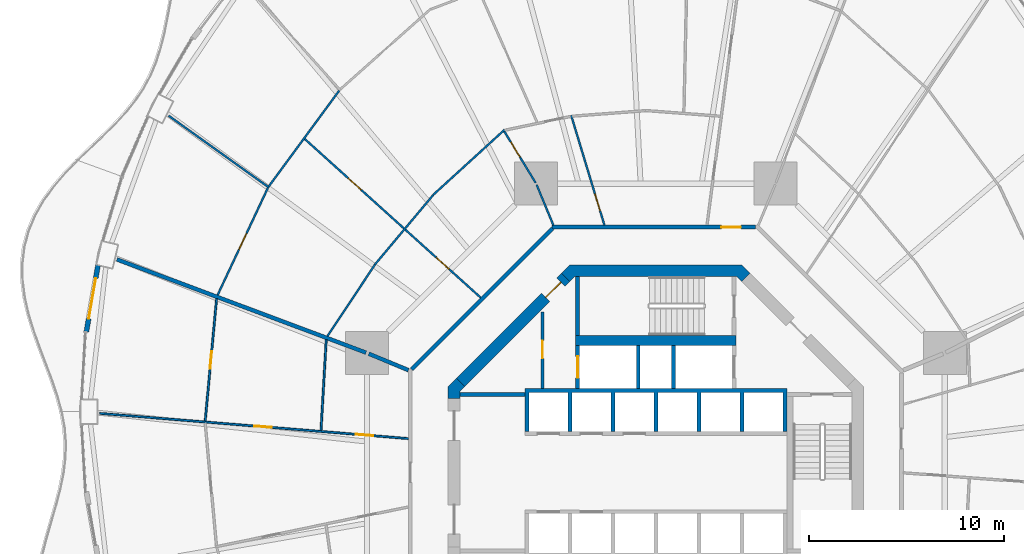
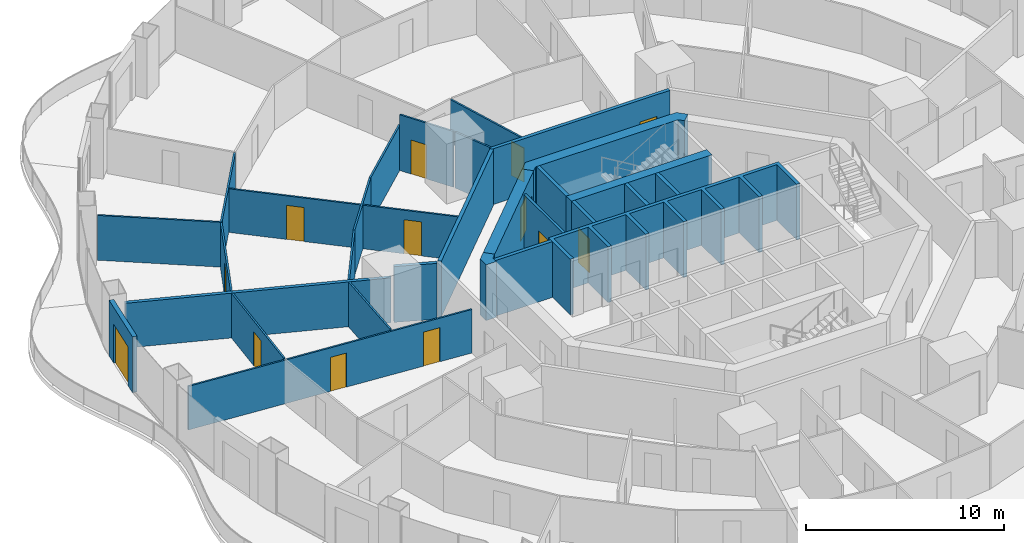
# One storey, part 17 of 22: 29 walls, 13 doors, 13 openings.
"""IFC4 building model written with IfcOpenShell, lengths in metres."""

from ifc_helpers import new_model, si_unit, direction, frame, frame_2d, origin, place, context, subcontext, project, spatial, polyline, rectangle, outline, extrude, material, layer, layer_set, type_object, element, fill, save


model = new_model("IFC4")

# Units and contexts
model_context = context("Model", 3, precision=1e-05, world=origin(), true_north=direction((0.0, 1.0)))
body_context = subcontext(model_context, "Body", "Model", "MODEL_VIEW")
ifc_project = project(units=[si_unit("LENGTHUNIT", "METRE"), si_unit("AREAUNIT", "SQUARE_METRE"), si_unit("VOLUMEUNIT", "CUBIC_METRE"), si_unit("PLANEANGLEUNIT", "RADIAN"), si_unit("MASSUNIT", "GRAM", prefix="KILO")], contexts=[model_context])

# Site, building, storey
site_placement = place(None, origin())
site = spatial("IfcSite", under=ifc_project, at=site_placement, CompositionType="ELEMENT")
building_placement = place(site_placement, origin())
building = spatial("IfcBuilding", under=site, at=building_placement, Name="Nagisa Residences", CompositionType="ELEMENT")
storey_placement = place(building_placement, frame((0.0, 0.0, 80.699951171875)))
storey = spatial("IfcBuildingStorey", under=building, at=storey_placement, Name="L19", CompositionType="ELEMENT", Elevation=80.699951171875)

# Walls
ifc_material_1 = material(Name="Gypsum board on steel studs", Category="steel")
ifc_layer_1 = layer(ifc_material_1, 0.199951171875)
ifc_layer_set_1 = layer_set([ifc_layer_1], Name="Apartment compartment wall EI60 200")
wall_type_1 = type_object("IfcWallType", Name="Apartment compartment wall EI60 200", PredefinedType="PARTITIONING", material=ifc_layer_set_1)
wall_1_placement = place(storey_placement, frame((-12.6572265625, 5.24267578125, 0.0), z_axis=(0.0, 0.0, 1.0), x_axis=(-0.923843626288, 0.382770106157, 0.0)))
element("IfcWall", 1, at=wall_1_placement, inside=storey, type_object=wall_type_1, Name="wall:L19:u02", PredefinedType="PARTITIONING", context=body_context, shape_type="SweptSolid", body=[
    extrude(rectangle(XDim=2.19921875, YDim=0.199951171875, at=frame_2d((1.099609375, 0.0))), origin(), (0.0, 0.0, 1.0), 3.43994140625),
])
wall_2_placement = place(storey_placement, frame((-14.828857421875, 6.140380859375, 0.0), z_axis=(0.0, 0.0, 1.0), x_axis=(-0.936597324342, 0.35040755134, 0.0)))
element("IfcWall", 2, at=wall_2_placement, inside=storey, type_object=wall_type_1, Name="wall:L19:u03", PredefinedType="PARTITIONING", context=body_context, shape_type="SweptSolid", body=[
    extrude(rectangle(XDim=13.605712890625, YDim=0.199951171875, at=frame_2d((6.802734375, 0.0))), origin(), (0.0, 0.0, 1.0), 2.761962890625),
])

# Wall, opening, door
ifc_material_2 = material(Name="Gypsum board on steel studs", Category="steel")
ifc_layer_2 = layer(ifc_material_2, 0.199951171875)
ifc_layer_set_2 = layer_set([ifc_layer_2], Name="Apartment entry wall EI60 200")
wall_type_2 = type_object("IfcWallType", Name="Apartment entry wall EI60 200", PredefinedType="PARTITIONING", material=ifc_layer_set_2)
wall_3_placement = place(storey_placement, frame((5.1044921875, 12.564697265625, 0.0), z_axis=(0.0, 0.0, 1.0), x_axis=(-1.0, 0.0, 0.0)))
wall_3 = element("IfcWall", 3, at=wall_3_placement, inside=storey, type_object=wall_type_2, Name="wall:L19:u10", PredefinedType="PARTITIONING", context=body_context, shape_type="SweptSolid", body=[
    extrude(rectangle(XDim=10.408935546875, YDim=0.199951171875, at=frame_2d((5.20458984375, 0.0))), origin(), (0.0, 0.0, 1.0), 3.43994140625),
])
opening_1_placement = place(wall_3_placement, frame((0.751220703125, 0.0, 0.0)))
opening_1 = element("IfcOpeningElement", 4, at=opening_1_placement, cuts=wall_3, Name="Opening L19-U01", PredefinedType="OPENING", context=body_context, shape_type="SweptSolid", body=[
    extrude(rectangle(XDim=1.0, YDim=2.10009765625, at=frame_2d((0.5, 1.050048828125))), frame((0.0, 0.10986328125, 0.0), z_axis=(0.0, -1.0, 0.0), x_axis=(1.0, 0.0, 0.0)), (0.0, 0.0, 1.0), 0.219970703125),
])
ifc_material_3 = material(Name="Timber fire door set", Category="wood")
door_type_1 = type_object("IfcDoorType", Name="Apartment entry door FD30S 1000x2100", OperationType="NOTDEFINED", PredefinedType="DOOR", material=ifc_material_3)
door_1_placement = place(opening_1_placement, frame((1.0, 0.0, 0.0), x_axis=(-1.0, 0.0, 0.0)))
door_1 = element("IfcDoor", 5, at=door_1_placement, inside=storey, type_object=door_type_1, Name="Entry door, Apartment 19A", OperationType="SINGLE_SWING_RIGHT", OverallHeight=2.10009765625, OverallWidth=1.0, PredefinedType="DOOR", context=body_context, shape_type="SweptSolid", body=[
    extrude(rectangle(XDim=1.0, YDim=2.10009765625, at=frame_2d((0.5, 1.050048828125))), frame((0.0, 0.02490234375, 0.0), z_axis=(0.0, -1.0, 0.0), x_axis=(1.0, 0.0, 0.0)), (0.0, 0.0, 1.0), 0.050048828125),
])
fill(opening_1, door_1)

# Wall
wall_4_placement = place(storey_placement, frame((-5.275146484375, 12.494140625, 0.0), z_axis=(0.0, 0.0, 1.0), x_axis=(-0.707106781187, -0.707106781187, 0.0)))
element("IfcWall", 6, at=wall_4_placement, inside=storey, type_object=wall_type_2, Name="wall:L19:u11", PredefinedType="PARTITIONING", context=body_context, shape_type="SweptSolid", body=[
    extrude(rectangle(XDim=10.209228515625, YDim=0.199951171875, at=frame_2d((5.1044921875, 0.0))), origin(), (0.0, 0.0, 1.0), 3.43994140625),
])

# Wall, opening, door
ifc_material_4 = material(Name="Gypsum board on steel studs", Category="steel")
ifc_layer_3 = layer(ifc_material_4, 0.10009765625)
ifc_layer_set_3 = layer_set([ifc_layer_3], Name="Apartment partition 100")
wall_type_3 = type_object("IfcWallType", Name="Apartment partition 100", PredefinedType="PARTITIONING", material=ifc_layer_set_3)
wall_5_placement = place(storey_placement, frame((-2.63134765625, 12.660400390625, 0.0), z_axis=(0.0, 0.0, 1.0), x_axis=(-0.290145836284, 0.956982441682, 0.0)))
wall_5 = element("IfcWall", 7, at=wall_5_placement, inside=storey, type_object=wall_type_3, Name="wall:L19:u38", PredefinedType="PARTITIONING", context=body_context, shape_type="SweptSolid", body=[
    extrude(rectangle(XDim=5.873291015625, YDim=0.10009765625, at=frame_2d((2.9365234375, 0.0))), origin(), (0.0, 0.0, 1.0), 2.68701171875),
])
opening_2_placement = place(wall_5_placement, frame((0.772216796875, 0.0, 0.0)))
opening_2 = element("IfcOpeningElement", 8, at=opening_2_placement, cuts=wall_5, Name="Opening L19-U04", PredefinedType="OPENING", context=body_context, shape_type="SweptSolid", body=[
    extrude(rectangle(XDim=0.89990234375, YDim=2.10009765625, at=frame_2d((0.449951171875, 1.050048828125))), frame((0.0, 0.06005859375, 0.0), z_axis=(0.0, -1.0, 0.0), x_axis=(1.0, 0.0, 0.0)), (0.0, 0.0, 1.0), 0.1201171875),
])
ifc_material_5 = material(Name="Timber door set", Category="wood")
door_type_2 = type_object("IfcDoorType", Name="Apartment door 900x2100", OperationType="NOTDEFINED", PredefinedType="DOOR", material=ifc_material_5)
door_2_placement = place(opening_2_placement, origin())
door_2 = element("IfcDoor", 9, at=door_2_placement, inside=storey, type_object=door_type_2, Name="Door to laundry, Apartment 19A", OperationType="SINGLE_SWING_RIGHT", OverallHeight=2.10009765625, OverallWidth=0.89990234375, PredefinedType="DOOR", context=body_context, shape_type="SweptSolid", body=[
    extrude(rectangle(XDim=0.89990234375, YDim=2.10009765625, at=frame_2d((0.449951171875, 1.050048828125))), frame((0.0, 0.02490234375, 0.0), z_axis=(0.0, -1.0, 0.0), x_axis=(1.0, 0.0, 0.0)), (0.0, 0.0, 1.0), 0.050048828125),
])
fill(opening_2, door_2)

# Wall
wall_6_placement = place(storey_placement, frame((-5.24267578125, 12.6572265625, 0.0), z_axis=(0.0, 0.0, 1.0), x_axis=(-0.382703272338, 0.923871314276, 0.0)))
element("IfcWall", 10, at=wall_6_placement, inside=storey, type_object=wall_type_3, Name="wall:L19:u42", PredefinedType="PARTITIONING", context=body_context, shape_type="SweptSolid", body=[
    extrude(rectangle(XDim=2.249267578125, YDim=0.10009765625, at=frame_2d((1.12451171875, 0.0))), origin(), (0.0, 0.0, 1.0), 3.43994140625),
])

# Wall, opening, door
wall_7_placement = place(storey_placement, frame((-6.14892578125, 14.82470703125, 0.0), z_axis=(0.0, 0.0, 1.0), x_axis=(-0.520433196839, 0.853902387646, 0.0)))
wall_7 = element("IfcWall", 11, at=wall_7_placement, inside=storey, type_object=wall_type_3, Name="wall:L19:u43", PredefinedType="PARTITIONING", context=body_context, shape_type="SweptSolid", body=[
    extrude(rectangle(XDim=3.089599609375, YDim=0.10009765625, at=frame_2d((1.544921875, 0.0))), origin(), (0.0, 0.0, 1.0), 3.43994140625),
])
opening_3_placement = place(wall_7_placement, frame((1.54150390625, 0.0, 0.0)))
opening_3 = element("IfcOpeningElement", 12, at=opening_3_placement, cuts=wall_7, Name="Opening L19-U05", PredefinedType="OPENING", context=body_context, shape_type="SweptSolid", body=[
    extrude(rectangle(XDim=0.89990234375, YDim=2.10009765625, at=frame_2d((0.449951171875, 1.050048828125))), frame((0.0, 0.06005859375, 0.0), z_axis=(0.0, -1.0, 0.0), x_axis=(1.0, 0.0, 0.0)), (0.0, 0.0, 1.0), 0.1201171875),
])
door_3_placement = place(opening_3_placement, origin())
door_3 = element("IfcDoor", 13, at=door_3_placement, inside=storey, type_object=door_type_2, Name="Door to store, Apartment 19A", OperationType="SINGLE_SWING_LEFT", OverallHeight=2.10009765625, OverallWidth=0.89990234375, PredefinedType="DOOR", context=body_context, shape_type="SweptSolid", body=[
    extrude(rectangle(XDim=0.89990234375, YDim=2.10009765625, at=frame_2d((0.449951171875, 1.050048828125))), frame((0.0, 0.02490234375, 0.0), z_axis=(0.0, -1.0, 0.0), x_axis=(1.0, 0.0, 0.0)), (0.0, 0.0, 1.0), 0.050048828125),
])
fill(opening_3, door_3)

# Walls
wall_8_placement = place(storey_placement, frame((-7.745849609375, 17.539306640625, 0.0), z_axis=(0.0, 0.0, 1.0), x_axis=(-0.738860434967, -0.673858484877, 0.0)))
element("IfcWall", 14, at=wall_8_placement, inside=storey, type_object=wall_type_3, Name="wall:L19:u44", PredefinedType="PARTITIONING", context=body_context, shape_type="SweptSolid", body=[
    extrude(rectangle(XDim=4.946533203125, YDim=0.10009765625, at=frame_2d((2.47314453125, 0.0))), origin(), (0.0, 0.0, 1.0), 2.761962890625),
])
wall_9_placement = place(storey_placement, frame((-11.39599609375, 14.20166015625, 0.0), z_axis=(0.0, 0.0, 1.0), x_axis=(-0.642475660273, -0.766306091557, 0.0)))
element("IfcWall", 15, at=wall_9_placement, inside=storey, type_object=wall_type_3, Name="wall:L19:u46", PredefinedType="PARTITIONING", context=body_context, shape_type="SweptSolid", body=[
    extrude(rectangle(XDim=4.63720703125, YDim=0.10009765625, at=frame_2d((2.318603515625, 0.0))), origin(), (0.0, 0.0, 1.0), 2.761962890625),
])
wall_10_placement = place(storey_placement, frame((-16.197265625, 19.55126953125, 0.0), z_axis=(0.0, 0.0, 1.0), x_axis=(-0.592391983588, -0.80564988536, 0.0)))
element("IfcWall", 16, at=wall_10_placement, inside=storey, type_object=wall_type_3, Name="wall:L19:u48", PredefinedType="PARTITIONING", context=body_context, shape_type="SweptSolid", body=[
    extrude(rectangle(XDim=6.080078125, YDim=0.10009765625, at=frame_2d((3.0400390625, 0.0))), origin(), (0.0, 0.0, 1.0), 2.761962890625),
])

# Wall, openings, doors
wall_11_placement = place(storey_placement, frame((-8.958984375, 8.95166015625, 0.0), z_axis=(0.0, 0.0, 1.0), x_axis=(-0.742679904999, 0.669646592398, 0.0)))
wall_11 = element("IfcWall", 17, at=wall_11_placement, inside=storey, type_object=wall_type_3, Name="wall:L19:u49", PredefinedType="PARTITIONING", context=body_context, shape_type="SweptSolid", body=[
    extrude(rectangle(XDim=12.121337890625, YDim=0.10009765625, at=frame_2d((6.060546875, 0.0))), origin(), (0.0, 0.0, 1.0), 2.68701171875),
])
opening_4_placement = place(wall_11_placement, frame((2.172119140625, 0.0, 0.0)))
opening_4 = element("IfcOpeningElement", 18, at=opening_4_placement, cuts=wall_11, Name="Opening L19-U06", PredefinedType="OPENING", context=body_context, shape_type="SweptSolid", body=[
    extrude(rectangle(XDim=0.89990234375, YDim=2.10009765625, at=frame_2d((0.449951171875, 1.050048828125))), frame((0.0, 0.06005859375, 0.0), z_axis=(0.0, -1.0, 0.0), x_axis=(1.0, 0.0, 0.0)), (0.0, 0.0, 1.0), 0.1201171875),
])
opening_5_placement = place(wall_11_placement, frame((8.232666015625, 0.0, 0.0)))
opening_5 = element("IfcOpeningElement", 19, at=opening_5_placement, cuts=wall_11, Name="Opening L19-U11", PredefinedType="OPENING", context=body_context, shape_type="SweptSolid", body=[
    extrude(rectangle(XDim=0.89990234375, YDim=2.10009765625, at=frame_2d((0.449951171875, 1.050048828125))), frame((0.0, 0.06005859375, 0.0), z_axis=(0.0, -1.0, 0.0), x_axis=(1.0, 0.0, 0.0)), (0.0, 0.0, 1.0), 0.1201171875),
])
door_4_placement = place(opening_4_placement, origin())
door_4 = element("IfcDoor", 20, at=door_4_placement, inside=storey, type_object=door_type_2, Name="Door to laundry, Apartment 19A", OperationType="SINGLE_SWING_RIGHT", OverallHeight=2.10009765625, OverallWidth=0.89990234375, PredefinedType="DOOR", context=body_context, shape_type="SweptSolid", body=[
    extrude(rectangle(XDim=0.89990234375, YDim=2.10009765625, at=frame_2d((0.449951171875, 1.050048828125))), frame((0.0, 0.02490234375, 0.0), z_axis=(0.0, -1.0, 0.0), x_axis=(1.0, 0.0, 0.0)), (0.0, 0.0, 1.0), 0.050048828125),
])
fill(opening_4, door_4)
door_5_placement = place(opening_5_placement, origin())
door_5 = element("IfcDoor", 21, at=door_5_placement, inside=storey, type_object=door_type_2, Name="Door to dining room, Apartment 19A", OperationType="SINGLE_SWING_LEFT", OverallHeight=2.10009765625, OverallWidth=0.89990234375, PredefinedType="DOOR", context=body_context, shape_type="SweptSolid", body=[
    extrude(rectangle(XDim=0.89990234375, YDim=2.10009765625, at=frame_2d((0.449951171875, 1.050048828125))), frame((0.0, 0.02490234375, 0.0), z_axis=(0.0, -1.0, 0.0), x_axis=(1.0, 0.0, 0.0)), (0.0, 0.0, 1.0), 0.050048828125),
])
fill(opening_5, door_5)

# Walls
wall_12_placement = place(storey_placement, frame((-14.370849609375, 10.64501953125, 0.0), z_axis=(0.0, 0.0, 1.0), x_axis=(-0.553341009285, -0.832954817168, 0.0)))
element("IfcWall", 22, at=wall_12_placement, inside=storey, type_object=wall_type_3, Name="wall:L19:u50", PredefinedType="PARTITIONING", context=body_context, shape_type="SweptSolid", body=[
    extrude(rectangle(XDim=4.396240234375, YDim=0.10009765625, at=frame_2d((2.1982421875, 0.0))), origin(), (0.0, 0.0, 1.0), 2.761962890625),
])
wall_13_placement = place(storey_placement, frame((-19.7880859375, 14.58349609375, 0.0), z_axis=(0.0, 0.0, 1.0), x_axis=(-0.813175286569, 0.58201885993, 0.0)))
element("IfcWall", 23, at=wall_13_placement, inside=storey, type_object=wall_type_3, Name="wall:L19:u51", PredefinedType="PARTITIONING", context=body_context, shape_type="SweptSolid", body=[
    extrude(rectangle(XDim=6.32861328125, YDim=0.10009765625, at=frame_2d((3.164306640625, 0.0))), origin(), (0.0, 0.0, 1.0), 2.761962890625),
])

# Wall, opening, door
wall_14_placement = place(storey_placement, frame((-19.85009765625, 14.5673828125, 0.0), z_axis=(0.0, 0.0, 1.0), x_axis=(-0.424942210745, -0.905220480064, 0.0)))
wall_14 = element("IfcWall", 24, at=wall_14_placement, inside=storey, type_object=wall_type_3, Name="wall:L19:u52", PredefinedType="PARTITIONING", context=body_context, shape_type="SweptSolid", body=[
    extrude(rectangle(XDim=6.05322265625, YDim=0.10009765625, at=frame_2d((3.026611328125, 0.0))), origin(), (0.0, 0.0, 1.0), 2.761962890625),
])
opening_6_placement = place(wall_14_placement, frame((2.57666015625, 0.0, 0.0)))
opening_6 = element("IfcOpeningElement", 25, at=opening_6_placement, cuts=wall_14, Name="Opening L19-U18", PredefinedType="OPENING", context=body_context, shape_type="SweptSolid", body=[
    extrude(rectangle(XDim=0.89990234375, YDim=2.10009765625, at=frame_2d((0.449951171875, 1.050048828125))), frame((0.0, 0.06005859375, 0.0), z_axis=(0.0, -1.0, 0.0), x_axis=(1.0, 0.0, 0.0)), (0.0, 0.0, 1.0), 0.1201171875),
])
door_6_placement = place(opening_6_placement, frame((0.89990234375, 0.0, 0.0), x_axis=(-1.0, 0.0, 0.0)))
door_6 = element("IfcDoor", 26, at=door_6_placement, inside=storey, type_object=door_type_2, Name="Door to dining room, Apartment 19A", OperationType="SINGLE_SWING_LEFT", OverallHeight=2.10009765625, OverallWidth=0.89990234375, PredefinedType="DOOR", context=body_context, shape_type="SweptSolid", body=[
    extrude(rectangle(XDim=0.89990234375, YDim=2.10009765625, at=frame_2d((0.449951171875, 1.050048828125))), frame((0.0, 0.02490234375, 0.0), z_axis=(0.0, -1.0, 0.0), x_axis=(1.0, 0.0, 0.0)), (0.0, 0.0, 1.0), 0.050048828125),
])
fill(opening_6, door_6)

# Wall
wall_15_placement = place(storey_placement, frame((-16.864501953125, 6.800048828125, 0.0), z_axis=(0.0, 0.0, 1.0), x_axis=(-0.057758567218, -0.998330580476, 0.0)))
element("IfcWall", 27, at=wall_15_placement, inside=storey, type_object=wall_type_3, Name="wall:L19:u53", PredefinedType="PARTITIONING", context=body_context, shape_type="SweptSolid", body=[
    extrude(rectangle(XDim=4.649658203125, YDim=0.10009765625, at=frame_2d((2.32470703125, 0.0))), origin(), (0.0, 0.0, 1.0), 2.761962890625),
])

# Wall, opening, door
wall_16_placement = place(storey_placement, frame((-22.47412109375, 8.897705078125, 0.0), z_axis=(0.0, 0.0, 1.0), x_axis=(-0.092756864489, -0.995688788774, 0.0)))
wall_16 = element("IfcWall", 28, at=wall_16_placement, inside=storey, type_object=wall_type_3, Name="wall:L19:u54", PredefinedType="PARTITIONING", context=body_context, shape_type="SweptSolid", body=[
    extrude(rectangle(XDim=6.28271484375, YDim=0.10009765625, at=frame_2d((3.141357421875, 0.0))), origin(), (0.0, 0.0, 1.0), 2.761962890625),
])
opening_7_placement = place(wall_16_placement, frame((2.69140625, 0.0, 0.0)))
opening_7 = element("IfcOpeningElement", 29, at=opening_7_placement, cuts=wall_16, Name="Opening L19-U27", PredefinedType="OPENING", context=body_context, shape_type="SweptSolid", body=[
    extrude(rectangle(XDim=0.89990234375, YDim=2.10009765625, at=frame_2d((0.449951171875, 1.050048828125))), frame((0.0, 0.06005859375, 0.0), z_axis=(0.0, -1.0, 0.0), x_axis=(1.0, 0.0, 0.0)), (0.0, 0.0, 1.0), 0.1201171875),
])
door_7_placement = place(opening_7_placement, frame((0.89990234375, 0.0, 0.0), x_axis=(-1.0, 0.0, 0.0)))
door_7 = element("IfcDoor", 30, at=door_7_placement, inside=storey, type_object=door_type_2, Name="Door to master bedroom, Apartment 19B", OperationType="SINGLE_SWING_RIGHT", OverallHeight=2.10009765625, OverallWidth=0.89990234375, PredefinedType="DOOR", context=body_context, shape_type="SweptSolid", body=[
    extrude(rectangle(XDim=0.89990234375, YDim=2.10009765625, at=frame_2d((0.449951171875, 1.050048828125))), frame((0.0, 0.02490234375, 0.0), z_axis=(0.0, -1.0, 0.0), x_axis=(1.0, 0.0, 0.0)), (0.0, 0.0, 1.0), 0.050048828125),
])
fill(opening_7, door_7)

# Wall, openings, doors
wall_17_placement = place(storey_placement, frame((-12.66455078125, 1.742919921875, 0.0), z_axis=(0.0, 0.0, 1.0), x_axis=(-0.996680482238, 0.081412630013, 0.0)))
wall_17 = element("IfcWall", 31, at=wall_17_placement, inside=storey, type_object=wall_type_3, Name="wall:L19:u55", PredefinedType="PARTITIONING", context=body_context, shape_type="SweptSolid", body=[
    extrude(rectangle(XDim=15.839599609375, YDim=0.10009765625, at=frame_2d((7.919921875, 0.0))), origin(), (0.0, 0.0, 1.0), 2.68701171875),
])
opening_8_placement = place(wall_17_placement, frame((1.793212890625, 0.0, 0.0)))
opening_8 = element("IfcOpeningElement", 32, at=opening_8_placement, cuts=wall_17, Name="Opening L19-U23", PredefinedType="OPENING", context=body_context, shape_type="SweptSolid", body=[
    extrude(rectangle(XDim=0.89990234375, YDim=2.10009765625, at=frame_2d((0.449951171875, 1.050048828125))), frame((0.0, 0.06005859375, 0.0), z_axis=(0.0, -1.0, 0.0), x_axis=(1.0, 0.0, 0.0)), (0.0, 0.0, 1.0), 0.1201171875),
])
opening_9_placement = place(wall_17_placement, frame((7.009033203125, 0.0, 0.0)))
opening_9 = element("IfcOpeningElement", 33, at=opening_9_placement, cuts=wall_17, Name="Opening L19-U25", PredefinedType="OPENING", context=body_context, shape_type="SweptSolid", body=[
    extrude(rectangle(XDim=0.89990234375, YDim=2.10009765625, at=frame_2d((0.449951171875, 1.050048828125))), frame((0.0, 0.06005859375, 0.0), z_axis=(0.0, -1.0, 0.0), x_axis=(1.0, 0.0, 0.0)), (0.0, 0.0, 1.0), 0.1201171875),
])
door_8_placement = place(opening_8_placement, frame((0.89990234375, 0.0, 0.0), x_axis=(-1.0, 0.0, 0.0)))
door_8 = element("IfcDoor", 34, at=door_8_placement, inside=storey, type_object=door_type_2, Name="Door to store, Apartment 19B", OperationType="SINGLE_SWING_RIGHT", OverallHeight=2.10009765625, OverallWidth=0.89990234375, PredefinedType="DOOR", context=body_context, shape_type="SweptSolid", body=[
    extrude(rectangle(XDim=0.89990234375, YDim=2.10009765625, at=frame_2d((0.449951171875, 1.050048828125))), frame((0.0, 0.02490234375, 0.0), z_axis=(0.0, -1.0, 0.0), x_axis=(1.0, 0.0, 0.0)), (0.0, 0.0, 1.0), 0.050048828125),
])
fill(opening_8, door_8)
door_9_placement = place(opening_9_placement, frame((0.89990234375, 0.0, 0.0), x_axis=(-1.0, 0.0, 0.0)))
door_9 = element("IfcDoor", 35, at=door_9_placement, inside=storey, type_object=door_type_2, Name="Door to study, Apartment 19B", OperationType="SINGLE_SWING_RIGHT", OverallHeight=2.10009765625, OverallWidth=0.89990234375, PredefinedType="DOOR", context=body_context, shape_type="SweptSolid", body=[
    extrude(rectangle(XDim=0.89990234375, YDim=2.10009765625, at=frame_2d((0.449951171875, 1.050048828125))), frame((0.0, 0.02490234375, 0.0), z_axis=(0.0, -1.0, 0.0), x_axis=(1.0, 0.0, 0.0)), (0.0, 0.0, 1.0), 0.050048828125),
])
fill(opening_9, door_9)

# Wall, opening, door
ifc_material_6 = material(Name="Precast concrete C40/50", Category="concrete")
ifc_layer_4 = layer(ifc_material_6, 0.25)
ifc_layer_set_4 = layer_set([ifc_layer_4], Name="BALCONY DOOR WALL 250")
wall_type_4 = type_object("IfcWallType", Name="BALCONY DOOR WALL 250", PredefinedType="SOLIDWALL", material=ifc_layer_set_4)
wall_18_placement = place(storey_placement, frame((-29.135009765625, 7.209716796875, 0.0), z_axis=(0.0, 0.0, 1.0), x_axis=(0.17223289558, 0.985056257114, 0.0)))
wall_18 = element("IfcWall", 36, at=wall_18_placement, inside=storey, type_object=wall_type_4, Name="wall:L19:bay22", PredefinedType="SOLIDWALL", context=body_context, shape_type="SweptSolid", body=[
    extrude(rectangle(XDim=3.454345703125, YDim=0.25, at=frame_2d((1.72705078125, 0.0))), origin(), (0.0, 0.0, 1.0), 3.43994140625),
])
opening_10_placement = place(wall_18_placement, frame((0.67724609375, 0.0, 0.0)))
opening_10 = element("IfcOpeningElement", 37, at=opening_10_placement, cuts=wall_18, Name="Opening BD-L19-08", PredefinedType="OPENING", context=body_context, shape_type="SweptSolid", body=[
    extrude(rectangle(XDim=2.10009765625, YDim=2.39990234375, at=frame_2d((1.050048828125, 1.199951171875))), frame((0.0, 0.135009765625, 0.0), z_axis=(0.0, -1.0, 0.0), x_axis=(1.0, 0.0, 0.0)), (0.0, 0.0, 1.0), 0.27001953125),
])
ifc_material_7 = material(Name="Aluminium and clear glass", Category="aluminium")
door_type_3 = type_object("IfcDoorType", Name="BALCONY SLIDING DOOR 2100x2400", OperationType="SLIDING_TO_LEFT", PredefinedType="DOOR", material=ifc_material_7)
door_10_placement = place(opening_10_placement, origin())
door_10 = element("IfcDoor", 38, at=door_10_placement, inside=storey, type_object=door_type_3, Name="door:L19:bay22", OperationType="SLIDING_TO_LEFT", OverallHeight=2.39990234375, OverallWidth=2.10009765625, PredefinedType="DOOR", context=body_context, shape_type="SweptSolid", body=[
    extrude(rectangle(XDim=2.10009765625, YDim=2.39990234375, at=frame_2d((1.050048828125, 1.199951171875))), frame((0.0, 0.02490234375, 0.0), z_axis=(0.0, -1.0, 0.0), x_axis=(1.0, 0.0, 0.0)), (0.0, 0.0, 1.0), 0.050048828125),
])
fill(opening_10, door_10)

ifc_material_8 = material(Name="Gypsum board on steel studs", Category="steel")
ifc_layer_5 = layer(ifc_material_8, 0.14990234375)
ifc_layer_set_5 = layer_set([ifc_layer_5], Name="Core partition 150")
wall_type_5 = type_object("IfcWallType", Name="Core partition 150", PredefinedType="PARTITIONING", material=ifc_layer_set_5)
wall_19_placement = place(storey_placement, frame((-5.800048828125, 4.300048828125, 0.0), z_axis=(0.0, 0.0, 1.0), x_axis=(0.0, 1.0, 0.0)))
wall_19 = element("IfcWall", 39, at=wall_19_placement, inside=storey, type_object=wall_type_5, Name="wall:L19:NWp", PredefinedType="PARTITIONING", context=body_context, shape_type="SweptSolid", body=[
    extrude(rectangle(XDim=3.927001953125, YDim=0.14990234375, at=frame_2d((1.96337890625, 0.0))), origin(), (0.0, 0.0, 1.0), 3.43994140625),
])
opening_11_placement = place(wall_19_placement, frame((1.551025390625, 0.0, 0.0)))
opening_11 = element("IfcOpeningElement", 40, at=opening_11_placement, cuts=wall_19, Name="Opening L19-C12", PredefinedType="OPENING", context=body_context, shape_type="SweptSolid", body=[
    extrude(rectangle(XDim=0.89990234375, YDim=2.10009765625, at=frame_2d((0.449951171875, 1.050048828125))), frame((0.0, 0.0849609375, 0.0), z_axis=(0.0, -1.0, 0.0), x_axis=(1.0, 0.0, 0.0)), (0.0, 0.0, 1.0), 0.169921875),
])
ifc_material_9 = material(Name="Steel fire door", Category="steel")
door_type_4 = type_object("IfcDoorType", Name="Fire door EI30 900x2100 single swing", OperationType="NOTDEFINED", PredefinedType="DOOR", material=ifc_material_9)
door_11_placement = place(opening_11_placement, origin())
door_11 = element("IfcDoor", 41, at=door_11_placement, inside=storey, type_object=door_type_4, Name="Linen store door L19", OperationType="SINGLE_SWING_RIGHT", OverallHeight=2.10009765625, OverallWidth=0.89990234375, PredefinedType="DOOR", context=body_context, shape_type="SweptSolid", body=[
    extrude(rectangle(XDim=0.89990234375, YDim=2.10009765625, at=frame_2d((0.449951171875, 1.050048828125))), frame((0.0, 0.02490234375, 0.0), z_axis=(0.0, -1.0, 0.0), x_axis=(1.0, 0.0, 0.0)), (0.0, 0.0, 1.0), 0.050048828125),
])
fill(opening_11, door_11)

# Wall
ifc_material_10 = material(Name="Gypsum board on steel studs", Category="steel")
ifc_layer_6 = layer(ifc_material_10, 0.199951171875)
ifc_layer_set_6 = layer_set([ifc_layer_6], Name="Core partition 200")
wall_type_6 = type_object("IfcWallType", Name="Core partition 200", PredefinedType="PARTITIONING", material=ifc_layer_set_6)
wall_20_placement = place(storey_placement, frame((-10.024658203125, 4.0, 0.0), z_axis=(0.0, 0.0, 1.0), x_axis=(1.0, 0.0, 0.0)))
element("IfcWall", 42, at=wall_20_placement, inside=storey, type_object=wall_type_6, Name="wall:L19:PNW", PredefinedType="PARTITIONING", context=body_context, shape_type="SweptSolid", body=[
    extrude(rectangle(XDim=3.32470703125, YDim=0.199951171875, at=frame_2d((1.662353515625, 0.0))), origin(), (0.0, 0.0, 1.0), 3.43994140625),
])

# Wall, opening, door
ifc_material_11 = material(Name="Concrete C60", Category="concrete")
ifc_layer_7 = layer(ifc_material_11, 0.60009765625)
ifc_layer_set_7 = layer_set([ifc_layer_7], Name="Core shear wall 600")
wall_type_7 = type_object("IfcWallType", Name="Core shear wall 600", PredefinedType="SHEAR", material=ifc_layer_set_7)
wall_21_placement = place(storey_placement, frame((-4.613037109375, 9.98828125, 0.0), z_axis=(0.0, 0.0, 1.0), x_axis=(-0.707106781187, -0.707106781187, 0.0)))
wall_21 = element("IfcWall", 43, at=wall_21_placement, inside=storey, type_object=wall_type_7, Name="wall:L19:core:flat3", PredefinedType="SHEAR", context=body_context, shape_type="SweptSolid", body=[
    extrude(rectangle(XDim=7.601806640625, YDim=0.60009765625, at=frame_2d((3.80078125, 0.0))), origin(), (0.0, 0.0, 1.0), 3.43994140625),
])
opening_12_placement = place(wall_21_placement, frame((0.350830078125, 0.0, 0.0)))
opening_12 = element("IfcOpeningElement", 44, at=opening_12_placement, cuts=wall_21, Name="Opening L19-C20", PredefinedType="OPENING", context=body_context, shape_type="SweptSolid", body=[
    extrude(rectangle(XDim=1.10009765625, YDim=2.10009765625, at=frame_2d((0.550048828125, 1.050048828125))), frame((0.0, 0.31005859375, 0.0), z_axis=(0.0, -1.0, 0.0), x_axis=(1.0, 0.0, 0.0)), (0.0, 0.0, 1.0), 0.6201171875),
])
ifc_material_12 = material(Name="Steel fire door", Category="steel")
door_type_5 = type_object("IfcDoorType", Name="Fire door EI60 1100x2100 single swing", OperationType="NOTDEFINED", PredefinedType="DOOR", material=ifc_material_12)
door_12_placement = place(opening_12_placement, origin())
door_12 = element("IfcDoor", 45, at=door_12_placement, inside=storey, type_object=door_type_5, Name="Service lobby door L19", OperationType="SINGLE_SWING_LEFT", OverallHeight=2.10009765625, OverallWidth=1.10009765625, PredefinedType="DOOR", context=body_context, shape_type="SweptSolid", body=[
    extrude(rectangle(XDim=1.10009765625, YDim=2.10009765625, at=frame_2d((0.550048828125, 1.050048828125))), frame((0.0, 0.02490234375, 0.0), z_axis=(0.0, -1.0, 0.0), x_axis=(1.0, 0.0, 0.0)), (0.0, 0.0, 1.0), 0.050048828125),
])
fill(opening_12, door_12)

# Walls
wall_22_placement = place(storey_placement, origin())
element("IfcWall", 46, at=wall_22_placement, inside=storey, type_object=wall_type_7, Name="wall:L19:core:pier3", PredefinedType="SHEAR", context=body_context, shape_type="SweptSolid", body=[
    extrude(outline(polyline([(-10.200439453125, 4.8251953125), (-9.776123046875, 4.40087890625), (-10.024658203125, 4.15234375), (-10.024658203125, 3.80078125), (-10.62451171875, 3.80078125), (-10.62451171875, 4.40087890625), (-10.200439453125, 4.8251953125)])), origin(), (0.0, 0.0, 1.0), 3.43994140625),
])
wall_23_placement = place(storey_placement, origin())
element("IfcWall", 47, at=wall_23_placement, inside=storey, type_object=wall_type_7, Name="wall:L19:core:flat2", PredefinedType="SHEAR", context=body_context, shape_type="SweptSolid", body=[
    extrude(outline(polyline([(-4.15234375, 10.024658203125), (-4.40087890625, 9.776123046875), (-4.8251953125, 10.200439453125), (-4.40087890625, 10.62451171875), (4.40087890625, 10.62451171875), (4.8251953125, 10.200439453125), (4.40087890625, 9.776123046875), (4.15234375, 10.024658203125), (-4.15234375, 10.024658203125)])), origin(), (0.0, 0.0, 1.0), 3.43994140625),
])

# Wall, opening, door
ifc_material_13 = material(Name="Concrete C60", Category="concrete")
ifc_layer_8 = layer(ifc_material_13, 0.199951171875)
ifc_layer_set_8 = layer_set([ifc_layer_8], Name="Lift shaft wall 200")
wall_type_8 = type_object("IfcWallType", Name="Lift shaft wall 200", PredefinedType="SOLIDWALL", material=ifc_layer_set_8)
wall_24_placement = place(storey_placement, frame((-4.0, 4.300048828125, 0.0), z_axis=(0.0, 0.0, 1.0), x_axis=(0.0, 1.0, 0.0)))
wall_24 = element("IfcWall", 48, at=wall_24_placement, inside=storey, type_object=wall_type_8, Name="wall:L19:Nb4", PredefinedType="SOLIDWALL", context=body_context, shape_type="SweptSolid", body=[
    extrude(rectangle(XDim=2.199951171875, YDim=0.199951171875, at=frame_2d((1.10009765625, 0.0))), origin(), (0.0, 0.0, 1.0), 3.43994140625),
])
opening_13_placement = place(wall_24_placement, frame((0.550048828125, 0.0, 0.0)))
opening_13 = element("IfcOpeningElement", 49, at=opening_13_placement, cuts=wall_24, Name="Opening L19-C08", PredefinedType="OPENING", context=body_context, shape_type="SweptSolid", body=[
    extrude(rectangle(XDim=1.10009765625, YDim=2.10009765625, at=frame_2d((0.550048828125, 1.050048828125))), frame((0.0, 0.10986328125, 0.0), z_axis=(0.0, -1.0, 0.0), x_axis=(1.0, 0.0, 0.0)), (0.0, 0.0, 1.0), 0.219970703125),
])
ifc_material_14 = material(Name="Stainless steel", Category="steel")
door_type_6 = type_object("IfcDoorType", Name="Lift landing door 1100x2100", OperationType="DOUBLE_DOOR_SLIDING", PredefinedType="DOOR", material=ifc_material_14)
door_13_placement = place(opening_13_placement, origin())
door_13 = element("IfcDoor", 50, at=door_13_placement, inside=storey, type_object=door_type_6, Name="Landing door SV L19", OperationType="DOUBLE_DOOR_SLIDING", OverallHeight=2.10009765625, OverallWidth=1.10009765625, PredefinedType="DOOR", context=body_context, shape_type="SweptSolid", body=[
    extrude(rectangle(XDim=1.10009765625, YDim=2.10009765625, at=frame_2d((0.550048828125, 1.050048828125))), frame((0.0, 0.02490234375, 0.0), z_axis=(0.0, -1.0, 0.0), x_axis=(1.0, 0.0, 0.0)), (0.0, 0.0, 1.0), 0.050048828125),
])
fill(opening_13, door_13)

# Walls
for number, where, z_axis, x_axis, name in (
    (51, (-0.89990234375, 4.300048828125, 0.0), (0.0, 0.0, 1.0), (0.0, 1.0, 0.0), "wall:L19:Nb1"),
    (52, (0.89990234375, 4.300048828125, 0.0), (0.0, 0.0, 1.0), (0.0, 1.0, 0.0), "wall:L19:Nb2"),
):
    element("IfcWall", number, at=place(storey_placement, frame(where, z_axis=z_axis, x_axis=x_axis)), inside=storey, type_object=wall_type_8, Name=name, PredefinedType="SOLIDWALL", context=body_context, shape_type="SweptSolid", body=[
        extrude(rectangle(XDim=2.199951171875, YDim=0.199951171875, at=frame_2d((1.10009765625, 0.0))), origin(), (0.0, 0.0, 1.0), 3.43994140625),
    ])
wall_25_placement = place(storey_placement, origin())
element("IfcWall", 53, at=wall_25_placement, inside=storey, type_object=wall_type_8, Name="wall:L19:Nback", PredefinedType="SOLIDWALL", context=body_context, shape_type="SweptSolid", body=[
    extrude(outline(polyline([(-6.5, 2.10009765625), (-6.699951171875, 2.10009765625), (-6.699951171875, 4.300048828125), (6.699951171875, 4.300048828125), (6.699951171875, 2.10009765625), (6.5, 2.10009765625), (6.5, 4.10009765625), (4.5, 4.10009765625), (4.5, 2.10009765625), (4.300048828125, 2.10009765625), (4.300048828125, 4.10009765625), (2.300048828125, 4.10009765625), (2.300048828125, 2.10009765625), (2.10009765625, 2.10009765625), (2.10009765625, 4.10009765625), (0.10009765625, 4.10009765625), (0.10009765625, 2.10009765625), (-0.10009765625, 2.10009765625), (-0.10009765625, 4.10009765625), (-2.10009765625, 4.10009765625), (-2.10009765625, 2.10009765625), (-2.300048828125, 2.10009765625), (-2.300048828125, 4.10009765625), (-4.300048828125, 4.10009765625), (-4.300048828125, 2.10009765625), (-4.5, 2.10009765625), (-4.5, 4.10009765625), (-6.5, 4.10009765625), (-6.5, 2.10009765625)])), origin(), (0.0, 0.0, 1.0), 3.43994140625),
])
ifc_material_15 = material(Name="Concrete C60", Category="concrete")
ifc_layer_9 = layer(ifc_material_15, 0.199951171875)
ifc_layer_set_9 = layer_set([ifc_layer_9], Name="Stair enclosure wall 200")
wall_type_9 = type_object("IfcWallType", Name="Stair enclosure wall 200", PredefinedType="SOLIDWALL", material=ifc_layer_set_9)
wall_26_placement = place(storey_placement, origin())
element("IfcWall", 54, at=wall_26_placement, inside=storey, type_object=wall_type_9, Name="wall:L19:SN_w", PredefinedType="SOLIDWALL", context=body_context, shape_type="SweptSolid", body=[
    extrude(outline(polyline([(-3.89990234375, 7.024658203125), (-4.10009765625, 7.024658203125), (-4.10009765625, 10.024658203125), (-3.89990234375, 10.024658203125), (-3.89990234375, 7.024658203125)])), origin(), (0.0, 0.0, 1.0), 3.43994140625),
])
wall_27_placement = place(storey_placement, origin())
element("IfcWall", 55, at=wall_27_placement, inside=storey, type_object=wall_type_9, Name="wall:L19:SN_s", PredefinedType="SOLIDWALL", context=body_context, shape_type="SweptSolid", body=[
    extrude(outline(polyline([(4.10009765625, 6.5), (-4.10009765625, 6.5), (-4.10009765625, 7.024658203125), (4.10009765625, 7.024658203125), (4.10009765625, 6.5)])), origin(), (0.0, 0.0, 1.0), 3.43994140625),
])

save(model, "model.ifc")
